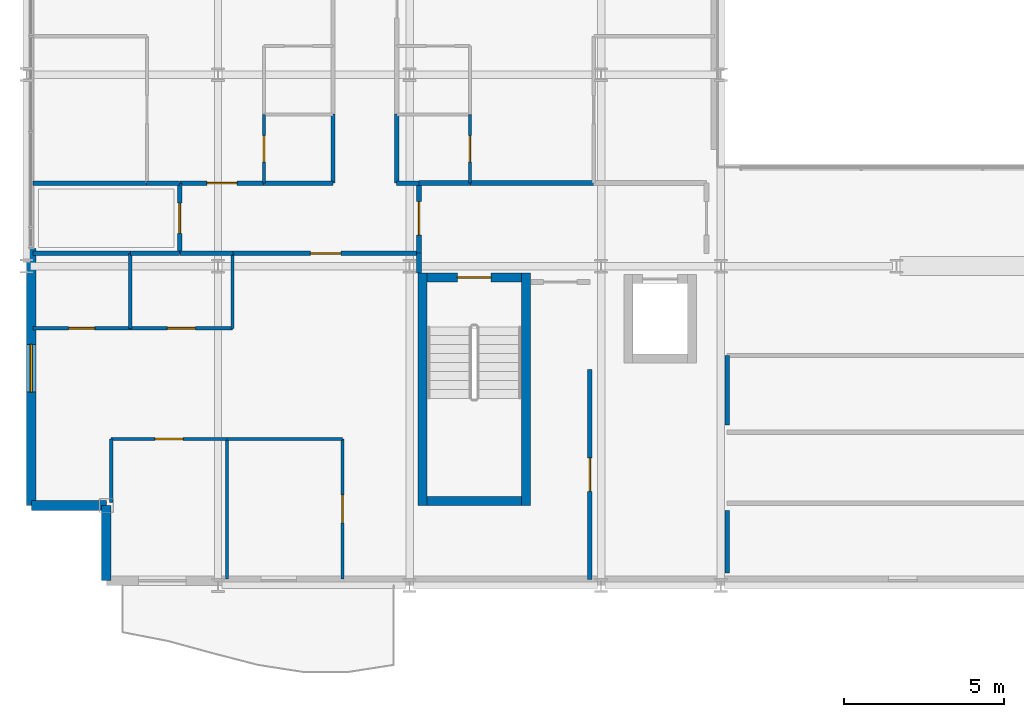
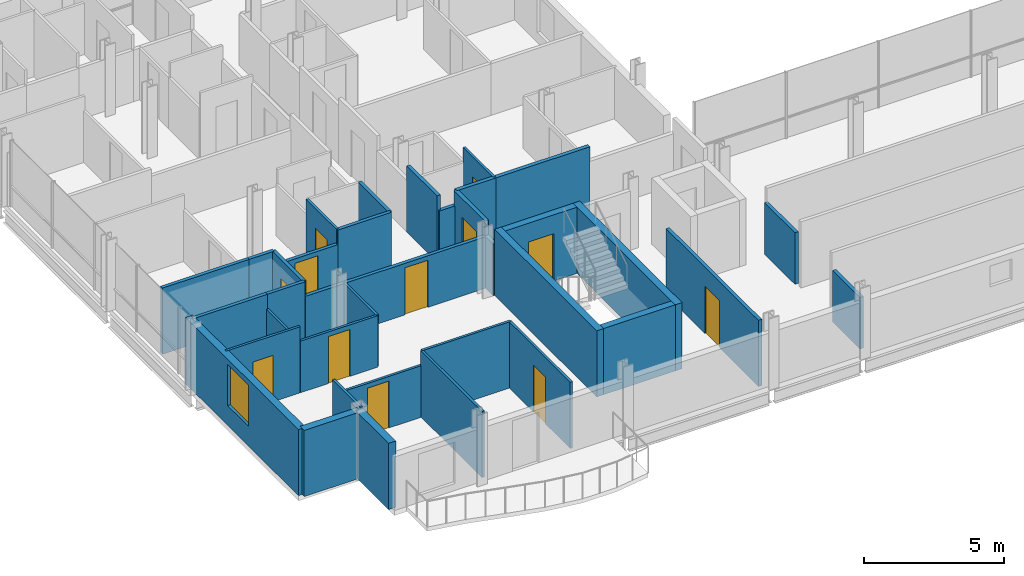
# One storey, part 31 of 41: 37 walls, 12 doors, 1 window, 13 openings.
"""IFC4 building model written with IfcOpenShell, lengths in metres."""

from ifc_helpers import new_model, si_unit, direction, frame, frame_2d, origin, place, context, subcontext, project, spatial, rectangle, extrude, material, layer, layer_set, type_object, element, fill, save


model = new_model("IFC4")

# Units and contexts
model_context = context("Model", 3, precision=1e-05, world=origin(), true_north=direction((0.0, 1.0)))
body_context = subcontext(model_context, "Body", "Model", "MODEL_VIEW")
ifc_project = project(units=[si_unit("LENGTHUNIT", "METRE"), si_unit("AREAUNIT", "SQUARE_METRE"), si_unit("VOLUMEUNIT", "CUBIC_METRE"), si_unit("PLANEANGLEUNIT", "RADIAN"), si_unit("MASSUNIT", "GRAM", prefix="KILO")], contexts=[model_context])

# Site, building, storey
site_placement = place(None, origin())
site = spatial("IfcSite", under=ifc_project, at=site_placement, CompositionType="ELEMENT")
building_placement = place(site_placement, origin())
building = spatial("IfcBuilding", under=site, at=building_placement, Name="Brevholm Reach", CompositionType="ELEMENT")
storey_placement = place(building_placement, frame((0.0, 0.0, 112.800048828125)))
storey = spatial("IfcBuildingStorey", under=building, at=storey_placement, Name="L33", CompositionType="ELEMENT", Elevation=112.800048828125)

# Walls
ifc_material_1 = material(Name="Concrete C50/60", Category="concrete")
ifc_layer_1 = layer(ifc_material_1, 0.280029296875)
ifc_layer_set_1 = layer_set([ifc_layer_1], Name="Concrete C50/60")
wall_type_1 = type_object("IfcWallType", Name="WAL-COR-280", PredefinedType="SHEAR", material=ifc_layer_set_1)
for number, where, z_axis, x_axis, name in (
    (1, (12.409912109375, 2.5, 0.0), (0.0, 0.0, 1.0), (0.0, 1.0, 0.0), "L33 Escape Stair ST-1 Core Wall W"),
    (2, (15.639892578125, 2.5, 0.0), (0.0, 0.0, 1.0), (0.0, 1.0, 0.0), "L33 Escape Stair ST-1 Core Wall E"),
):
    element("IfcWall", number, at=place(storey_placement, frame(where, z_axis=z_axis, x_axis=x_axis)), inside=storey, type_object=wall_type_1, Name=name, PredefinedType="SHEAR", context=body_context, shape_type="SweptSolid", body=[
        extrude(rectangle(XDim=7.280029296875, YDim=0.280029296875, at=frame_2d((3.64013671875, 0.0))), origin(), (0.0, 0.0, 1.0), 2.8798828125),
    ])
wall_1_placement = place(storey_placement, frame((12.550048828125, 2.639892578125, 0.0), z_axis=(0.0, 0.0, 1.0), x_axis=(1.0, 0.0, 0.0)))
element("IfcWall", 3, at=wall_1_placement, inside=storey, type_object=wall_type_1, Name="L33 Escape Stair ST-1 Core Wall S", PredefinedType="SHEAR", context=body_context, shape_type="SweptSolid", body=[
    extrude(rectangle(XDim=2.949951171875, YDim=0.280029296875, at=frame_2d((1.47509765625, 0.0))), origin(), (0.0, 0.0, 1.0), 2.8798828125),
])

# Wall, opening, door
wall_2_placement = place(storey_placement, frame((15.5, 9.639892578125, 0.0), z_axis=(0.0, 0.0, 1.0), x_axis=(-1.0, 0.0, 0.0)))
wall_2 = element("IfcWall", 4, at=wall_2_placement, inside=storey, type_object=wall_type_1, Name="L33 Escape Stair ST-1 Core Wall N", PredefinedType="SHEAR", context=body_context, shape_type="SweptSolid", body=[
    extrude(rectangle(XDim=2.949951171875, YDim=0.280029296875, at=frame_2d((1.47509765625, 0.0))), origin(), (0.0, 0.0, 1.0), 2.8798828125),
])
opening_1_placement = place(wall_2_placement, frame((0.949951171875, 0.0, 0.0)))
opening_1 = element("IfcOpeningElement", 5, at=opening_1_placement, cuts=wall_2, Name="Opening SD-ST-1", PredefinedType="OPENING", context=body_context, shape_type="SweptSolid", body=[
    extrude(rectangle(XDim=1.050048828125, YDim=2.06005859375, at=frame_2d((0.52490234375, 1.030029296875))), frame((0.0, 0.14990234375, 0.0), z_axis=(0.0, -1.0, 0.0), x_axis=(1.0, 0.0, 0.0)), (0.0, 0.0, 1.0), 0.300048828125),
])
ifc_material_2 = material(Name="Hardwood-Lipped Steel-Core Fire and Smoke Door", Category="steel")
door_type_1 = type_object("IfcDoorType", Name="DOR-INT-FD60S", OperationType="NOTDEFINED", PredefinedType="DOOR", material=ifc_material_2)
door_1_placement = place(opening_1_placement, origin())
door_1 = element("IfcDoor", 6, at=door_1_placement, inside=storey, type_object=door_type_1, Name="L33 Protected Stair ST-1 Lobby Door", OperationType="SINGLE_SWING_LEFT", OverallHeight=2.06005859375, OverallWidth=1.050048828125, PredefinedType="DOOR", context=body_context, shape_type="SweptSolid", body=[
    extrude(rectangle(XDim=1.050048828125, YDim=2.06005859375, at=frame_2d((0.52490234375, 1.030029296875))), frame((0.0, 0.02490234375, 0.0), z_axis=(0.0, -1.0, 0.0), x_axis=(1.0, 0.0, 0.0)), (0.0, 0.0, 1.0), 0.050048828125),
])
fill(opening_1, door_1)

# Walls
ifc_material_3 = material(Name="Concrete C40/50", Category="concrete")
ifc_layer_2 = layer(ifc_material_3, 0.300048828125)
ifc_layer_set_2 = layer_set([ifc_layer_2], Name="Concrete C40/50")
wall_type_2 = type_object("IfcWallType", Name="WAL-EXT-300", PredefinedType="STANDARD", material=ifc_layer_set_2)
for number, where, z_axis, x_axis, name in (
    (7, (2.5, 2.5, 0.0), (0.0, 0.0, 1.0), (0.0, -1.0, 0.0), "L33 Facade Wall WAL-L33-CSW1"),
    (8, (0.14990234375, 2.5, 0.0), (0.0, 0.0, 1.0), (1.0, 0.0, 0.0), "L33 Facade Wall WAL-L33-CSW2"),
):
    element("IfcWall", number, at=place(storey_placement, frame(where, z_axis=z_axis, x_axis=x_axis)), inside=storey, type_object=wall_type_2, Name=name, PredefinedType="STANDARD", context=body_context, shape_type="SweptSolid", body=[
        extrude(rectangle(XDim=2.35009765625, YDim=0.300048828125, at=frame_2d((1.175048828125, 0.0))), origin(), (0.0, 0.0, 1.0), 2.8798828125),
    ])

# Wall, opening, window
wall_3_placement = place(storey_placement, frame((0.14990234375, 10.550048828125, 0.0), z_axis=(0.0, 0.0, 1.0), x_axis=(0.0, -1.0, 0.0)))
wall_3 = element("IfcWall", 9, at=wall_3_placement, inside=storey, type_object=wall_type_2, Name="L33 Facade Wall WAL-L33-W-S", PredefinedType="STANDARD", context=body_context, shape_type="SweptSolid", body=[
    extrude(rectangle(XDim=8.050048828125, YDim=0.300048828125, at=frame_2d((4.02490234375, 0.0))), origin(), (0.0, 0.0, 1.0), 2.8798828125),
])
opening_2_placement = place(wall_3_placement, frame((3.0, 0.0, 0.860107421875)))
opening_2 = element("IfcOpeningElement", 10, at=opening_2_placement, cuts=wall_3, Name="Opening WN-05", PredefinedType="OPENING", context=body_context, shape_type="SweptSolid", body=[
    extrude(rectangle(XDim=1.5, YDim=1.800048828125, at=frame_2d((0.75, 0.89990234375))), frame((0.0, 0.159912109375, 0.0), z_axis=(0.0, -1.0, 0.0), x_axis=(1.0, 0.0, 0.0)), (0.0, 0.0, 1.0), 0.320068359375),
])
ifc_material_4 = material(Name="Dark Anodised Aluminium and Solar-Control IGU Glass", Category="aluminium")
window_type = type_object("IfcWindowType", Name="WIN-RES-1500", PartitioningType="SINGLE_PANEL", PredefinedType="WINDOW", material=ifc_material_4)
window_placement = place(opening_2_placement, origin())
window = element("IfcWindow", 11, at=window_placement, inside=storey, type_object=window_type, Name="L33 Window WIN-L33-WS-1", OverallHeight=1.800048828125, OverallWidth=1.5, PartitioningType="SINGLE_PANEL", PredefinedType="WINDOW", context=body_context, shape_type="SweptSolid", body=[
    extrude(rectangle(XDim=1.5, YDim=1.800048828125, at=frame_2d((0.75, 0.89990234375))), frame((0.0, 0.030029296875, 0.0), z_axis=(0.0, -1.0, 0.0), x_axis=(1.0, 0.0, 0.0)), (0.0, 0.0, 1.0), 0.06005859375),
])
fill(opening_2, window)

# Wall
ifc_material_5 = material(Name="Moisture-Resistant Acoustic Gypsum Stud Partition 100 mm", Category="gypsum")
ifc_layer_3 = layer(ifc_material_5, 0.10009765625)
ifc_layer_set_3 = layer_set([ifc_layer_3], Name="Moisture-Resistant Acoustic Gypsum Stud Partition 100 mm")
wall_type_3 = type_object("IfcWallType", Name="WAL-PRT-100", PredefinedType="PARTITIONING", material=ifc_layer_set_3)
wall_4_placement = place(storey_placement, frame((3.25, 8.053955078125, 0.0), z_axis=(0.0, 0.0, 1.0), x_axis=(0.0, 1.0, 0.0)))
element("IfcWall", 12, at=wall_4_placement, inside=storey, type_object=wall_type_3, Name="L33 Internal Partition 062", PredefinedType="PARTITIONING", context=body_context, shape_type="SweptSolid", body=[
    extrude(rectangle(XDim=2.345947265625, YDim=0.10009765625, at=frame_2d((1.1728515625, 0.0))), origin(), (0.0, 0.0, 1.0), 2.24267578125),
])

# Wall, opening, door
wall_5_placement = place(storey_placement, frame((0.199951171875, 8.053955078125, 0.0), z_axis=(0.0, 0.0, 1.0), x_axis=(1.0, 0.0, 0.0)))
wall_5 = element("IfcWall", 13, at=wall_5_placement, inside=storey, type_object=wall_type_3, Name="L33 Internal Partition 063", PredefinedType="PARTITIONING", context=body_context, shape_type="SweptSolid", body=[
    extrude(rectangle(XDim=3.050048828125, YDim=0.10009765625, at=frame_2d((1.52490234375, 0.0))), origin(), (0.0, 0.0, 1.0), 2.8798828125),
])
opening_3_placement = place(wall_5_placement, frame((1.114990234375, 0.0, 0.0)))
opening_3 = element("IfcOpeningElement", 14, at=opening_3_placement, cuts=wall_5, Name="Opening ID-03", PredefinedType="OPENING", context=body_context, shape_type="SweptSolid", body=[
    extrude(rectangle(XDim=0.820068359375, YDim=2.02001953125, at=frame_2d((0.41015625, 1.010009765625))), frame((0.0, 0.06005859375, 0.0), z_axis=(0.0, -1.0, 0.0), x_axis=(1.0, 0.0, 0.0)), (0.0, 0.0, 1.0), 0.1201171875),
])
ifc_material_6 = material(Name="Moisture-Resistant Painted Timber Internal Bathroom Door", Category="wood")
door_type_2 = type_object("IfcDoorType", Name="DOR-BATH-820", OperationType="NOTDEFINED", PredefinedType="DOOR", material=ifc_material_6)
door_2_placement = place(opening_3_placement, origin())
door_2 = element("IfcDoor", 15, at=door_2_placement, inside=storey, type_object=door_type_2, Name="L33 Internal Door 024", OperationType="SINGLE_SWING_RIGHT", OverallHeight=2.02001953125, OverallWidth=0.820068359375, PredefinedType="DOOR", context=body_context, shape_type="SweptSolid", body=[
    extrude(rectangle(XDim=0.820068359375, YDim=2.02001953125, at=frame_2d((0.41015625, 1.010009765625))), frame((0.0, 0.02490234375, 0.0), z_axis=(0.0, -1.0, 0.0), x_axis=(1.0, 0.0, 0.0)), (0.0, 0.0, 1.0), 0.050048828125),
])
fill(opening_3, door_2)

wall_6_placement = place(storey_placement, frame((3.25390625, 8.053955078125, 0.0), z_axis=(0.0, 0.0, 1.0), x_axis=(1.0, 0.0, 0.0)))
wall_6 = element("IfcWall", 16, at=wall_6_placement, inside=storey, type_object=wall_type_3, Name="L33 Internal Partition 065", PredefinedType="PARTITIONING", context=body_context, shape_type="SweptSolid", body=[
    extrude(rectangle(XDim=3.196044921875, YDim=0.10009765625, at=frame_2d((1.59814453125, 0.0))), origin(), (0.0, 0.0, 1.0), 2.24267578125),
])
opening_4_placement = place(wall_6_placement, frame((1.157958984375, 0.0, 0.0)))
opening_4 = element("IfcOpeningElement", 17, at=opening_4_placement, cuts=wall_6, Name="Opening ID-01", PredefinedType="OPENING", context=body_context, shape_type="SweptSolid", body=[
    extrude(rectangle(XDim=0.8798828125, YDim=2.0400390625, at=frame_2d((0.43994140625, 1.02001953125))), frame((0.0, 0.06005859375, 0.0), z_axis=(0.0, -1.0, 0.0), x_axis=(1.0, 0.0, 0.0)), (0.0, 0.0, 1.0), 0.1201171875),
])
ifc_material_7 = material(Name="Lacquered Ash Solid-Core Acoustic Internal Door", Category="timber")
door_type_3 = type_object("IfcDoorType", Name="DOR-INT-880", OperationType="NOTDEFINED", PredefinedType="DOOR", material=ifc_material_7)
door_3_placement = place(opening_4_placement, origin())
door_3 = element("IfcDoor", 18, at=door_3_placement, inside=storey, type_object=door_type_3, Name="L33 Internal Door 025", OperationType="SINGLE_SWING_LEFT", OverallHeight=2.0400390625, OverallWidth=0.8798828125, PredefinedType="DOOR", context=body_context, shape_type="SweptSolid", body=[
    extrude(rectangle(XDim=0.8798828125, YDim=2.0400390625, at=frame_2d((0.43994140625, 1.02001953125))), frame((0.0, 0.02490234375, 0.0), z_axis=(0.0, -1.0, 0.0), x_axis=(1.0, 0.0, 0.0)), (0.0, 0.0, 1.0), 0.050048828125),
])
fill(opening_4, door_3)

# Walls
wall_7_placement = place(storey_placement, frame((6.449951171875, 8.053955078125, 0.0), z_axis=(0.0, 0.0, 1.0), x_axis=(0.0, 1.0, 0.0)))
element("IfcWall", 19, at=wall_7_placement, inside=storey, type_object=wall_type_3, Name="L33 Internal Partition 066", PredefinedType="PARTITIONING", context=body_context, shape_type="SweptSolid", body=[
    extrude(rectangle(XDim=2.342041015625, YDim=0.10009765625, at=frame_2d((1.1708984375, 0.0))), origin(), (0.0, 0.0, 1.0), 2.24267578125),
])
wall_8_placement = place(storey_placement, frame((6.27490234375, 0.199951171875, 0.0), z_axis=(0.0, 0.0, 1.0), x_axis=(0.0, 1.0, 0.0)))
element("IfcWall", 20, at=wall_8_placement, inside=storey, type_object=wall_type_3, Name="L33 Internal Partition 068", PredefinedType="PARTITIONING", context=body_context, shape_type="SweptSolid", body=[
    extrude(rectangle(XDim=4.385986328125, YDim=0.10009765625, at=frame_2d((2.19287109375, 0.0))), origin(), (0.0, 0.0, 1.0), 2.8798828125),
])
wall_9_placement = place(storey_placement, frame((2.64990234375, 2.599365234375, 0.0), z_axis=(0.0, 0.0, 1.0), x_axis=(0.0, 1.0, 0.0)))
element("IfcWall", 21, at=wall_9_placement, inside=storey, type_object=wall_type_3, Name="L33 Internal Partition 069", PredefinedType="PARTITIONING", context=body_context, shape_type="SweptSolid", body=[
    extrude(rectangle(XDim=1.986572265625, YDim=0.10009765625, at=frame_2d((0.9931640625, 0.0))), origin(), (0.0, 0.0, 1.0), 2.8798828125),
])

# Wall, opening, door
wall_10_placement = place(storey_placement, frame((2.64990234375, 4.5859375, 0.0), z_axis=(0.0, 0.0, 1.0), x_axis=(1.0, 0.0, 0.0)))
wall_10 = element("IfcWall", 22, at=wall_10_placement, inside=storey, type_object=wall_type_3, Name="L33 Internal Partition 070", PredefinedType="PARTITIONING", context=body_context, shape_type="SweptSolid", body=[
    extrude(rectangle(XDim=3.625, YDim=0.10009765625, at=frame_2d((1.8125, 0.0))), origin(), (0.0, 0.0, 1.0), 2.24267578125),
])
opening_5_placement = place(wall_10_placement, frame((1.37255859375, 0.0, 0.0)))
opening_5 = element("IfcOpeningElement", 23, at=opening_5_placement, cuts=wall_10, Name="Opening ID-01", PredefinedType="OPENING", context=body_context, shape_type="SweptSolid", body=[
    extrude(rectangle(XDim=0.8798828125, YDim=2.0400390625, at=frame_2d((0.43994140625, 1.02001953125))), frame((0.0, 0.06005859375, 0.0), z_axis=(0.0, -1.0, 0.0), x_axis=(1.0, 0.0, 0.0)), (0.0, 0.0, 1.0), 0.1201171875),
])
door_4_placement = place(opening_5_placement, origin())
door_4 = element("IfcDoor", 24, at=door_4_placement, inside=storey, type_object=door_type_3, Name="L33 Internal Door 026", OperationType="SINGLE_SWING_RIGHT", OverallHeight=2.0400390625, OverallWidth=0.8798828125, PredefinedType="DOOR", context=body_context, shape_type="SweptSolid", body=[
    extrude(rectangle(XDim=0.8798828125, YDim=2.0400390625, at=frame_2d((0.43994140625, 1.02001953125))), frame((0.0, 0.02490234375, 0.0), z_axis=(0.0, -1.0, 0.0), x_axis=(1.0, 0.0, 0.0)), (0.0, 0.0, 1.0), 0.050048828125),
])
fill(opening_5, door_4)

wall_11_placement = place(storey_placement, frame((9.89990234375, 0.199951171875, 0.0), z_axis=(0.0, 0.0, 1.0), x_axis=(0.0, 1.0, 0.0)))
wall_11 = element("IfcWall", 25, at=wall_11_placement, inside=storey, type_object=wall_type_3, Name="L33 Internal Partition 071", PredefinedType="PARTITIONING", context=body_context, shape_type="SweptSolid", body=[
    extrude(rectangle(XDim=4.385986328125, YDim=0.10009765625, at=frame_2d((2.19287109375, 0.0))), origin(), (0.0, 0.0, 1.0), 2.8798828125),
])
opening_6_placement = place(wall_11_placement, frame((1.7529296875, 0.0, 0.0)))
opening_6 = element("IfcOpeningElement", 26, at=opening_6_placement, cuts=wall_11, Name="Opening ID-01", PredefinedType="OPENING", context=body_context, shape_type="SweptSolid", body=[
    extrude(rectangle(XDim=0.8798828125, YDim=2.0400390625, at=frame_2d((0.43994140625, 1.02001953125))), frame((0.0, 0.06005859375, 0.0), z_axis=(0.0, -1.0, 0.0), x_axis=(1.0, 0.0, 0.0)), (0.0, 0.0, 1.0), 0.1201171875),
])
door_5_placement = place(opening_6_placement, origin())
door_5 = element("IfcDoor", 27, at=door_5_placement, inside=storey, type_object=door_type_3, Name="L33 Internal Door 027", OperationType="SINGLE_SWING_LEFT", OverallHeight=2.0400390625, OverallWidth=0.8798828125, PredefinedType="DOOR", context=body_context, shape_type="SweptSolid", body=[
    extrude(rectangle(XDim=0.8798828125, YDim=2.0400390625, at=frame_2d((0.43994140625, 1.02001953125))), frame((0.0, 0.02490234375, 0.0), z_axis=(0.0, -1.0, 0.0), x_axis=(1.0, 0.0, 0.0)), (0.0, 0.0, 1.0), 0.050048828125),
])
fill(opening_6, door_5)

# Wall
wall_12_placement = place(storey_placement, frame((6.279052734375, 4.5859375, 0.0), z_axis=(0.0, 0.0, 1.0), x_axis=(1.0, 0.0, 0.0)))
element("IfcWall", 28, at=wall_12_placement, inside=storey, type_object=wall_type_3, Name="L33 Internal Partition 072", PredefinedType="PARTITIONING", context=body_context, shape_type="SweptSolid", body=[
    extrude(rectangle(XDim=3.620849609375, YDim=0.10009765625, at=frame_2d((1.810546875, 0.0))), origin(), (0.0, 0.0, 1.0), 2.8798828125),
])

# Wall, opening, door
wall_13_placement = place(storey_placement, frame((7.43798828125, 12.60400390625, 0.0), z_axis=(0.0, 0.0, 1.0), x_axis=(0.0, 1.0, 0.0)))
wall_13 = element("IfcWall", 29, at=wall_13_placement, inside=storey, type_object=wall_type_3, Name="L33 Internal Partition 088", PredefinedType="PARTITIONING", context=body_context, shape_type="SweptSolid", body=[
    extrude(rectangle(XDim=2.14599609375, YDim=0.10009765625, at=frame_2d((1.072998046875, 0.0))), origin(), (0.0, 0.0, 1.0), 2.8798828125),
])
opening_7_placement = place(wall_13_placement, frame((0.6630859375, 0.0, 0.0)))
opening_7 = element("IfcOpeningElement", 30, at=opening_7_placement, cuts=wall_13, Name="Opening ID-03", PredefinedType="OPENING", context=body_context, shape_type="SweptSolid", body=[
    extrude(rectangle(XDim=0.820068359375, YDim=2.02001953125, at=frame_2d((0.41015625, 1.010009765625))), frame((0.0, 0.06005859375, 0.0), z_axis=(0.0, -1.0, 0.0), x_axis=(1.0, 0.0, 0.0)), (0.0, 0.0, 1.0), 0.1201171875),
])
door_6_placement = place(opening_7_placement, origin())
door_6 = element("IfcDoor", 31, at=door_6_placement, inside=storey, type_object=door_type_2, Name="L33 Internal Door 032", OperationType="SINGLE_SWING_RIGHT", OverallHeight=2.02001953125, OverallWidth=0.820068359375, PredefinedType="DOOR", context=body_context, shape_type="SweptSolid", body=[
    extrude(rectangle(XDim=0.820068359375, YDim=2.02001953125, at=frame_2d((0.41015625, 1.010009765625))), frame((0.0, 0.02490234375, 0.0), z_axis=(0.0, -1.0, 0.0), x_axis=(1.0, 0.0, 0.0)), (0.0, 0.0, 1.0), 0.050048828125),
])
fill(opening_7, door_6)

wall_14_placement = place(storey_placement, frame((13.888916015625, 12.60400390625, 0.0), z_axis=(0.0, 0.0, 1.0), x_axis=(0.0, 1.0, 0.0)))
wall_14 = element("IfcWall", 32, at=wall_14_placement, inside=storey, type_object=wall_type_3, Name="L33 Internal Partition 107", PredefinedType="PARTITIONING", context=body_context, shape_type="SweptSolid", body=[
    extrude(rectangle(XDim=2.14599609375, YDim=0.10009765625, at=frame_2d((1.072998046875, 0.0))), origin(), (0.0, 0.0, 1.0), 2.8798828125),
])
opening_8_placement = place(wall_14_placement, frame((0.6630859375, 0.0, 0.0)))
opening_8 = element("IfcOpeningElement", 33, at=opening_8_placement, cuts=wall_14, Name="Opening ID-03", PredefinedType="OPENING", context=body_context, shape_type="SweptSolid", body=[
    extrude(rectangle(XDim=0.820068359375, YDim=2.02001953125, at=frame_2d((0.41015625, 1.010009765625))), frame((0.0, 0.06005859375, 0.0), z_axis=(0.0, -1.0, 0.0), x_axis=(1.0, 0.0, 0.0)), (0.0, 0.0, 1.0), 0.1201171875),
])
door_7_placement = place(opening_8_placement, origin())
door_7 = element("IfcDoor", 34, at=door_7_placement, inside=storey, type_object=door_type_2, Name="L33 Internal Door 038", OperationType="SINGLE_SWING_RIGHT", OverallHeight=2.02001953125, OverallWidth=0.820068359375, PredefinedType="DOOR", context=body_context, shape_type="SweptSolid", body=[
    extrude(rectangle(XDim=0.820068359375, YDim=2.02001953125, at=frame_2d((0.41015625, 1.010009765625))), frame((0.0, 0.02490234375, 0.0), z_axis=(0.0, -1.0, 0.0), x_axis=(1.0, 0.0, 0.0)), (0.0, 0.0, 1.0), 0.050048828125),
])
fill(opening_8, door_7)

ifc_material_8 = material(Name="Twin-Stud Acoustic Fire-Rated Gypsum Partition 140 mm", Category="gypsum")
ifc_layer_4 = layer(ifc_material_8, 0.139892578125)
ifc_layer_set_4 = layer_set([ifc_layer_4], Name="Twin-Stud Acoustic Fire-Rated Gypsum Partition 140 mm")
wall_type_4 = type_object("IfcWallType", Name="WAL-PRT-140", PredefinedType="PARTITIONING", material=ifc_layer_set_4)
wall_15_placement = place(storey_placement, frame((17.64990234375, 0.179931640625, 0.0), z_axis=(0.0, 0.0, 1.0), x_axis=(0.0, 1.0, 0.0)))
wall_15 = element("IfcWall", 35, at=wall_15_placement, inside=storey, type_object=wall_type_4, Name="L33 Internal Partition 006", PredefinedType="PARTITIONING", context=body_context, shape_type="SweptSolid", body=[
    extrude(rectangle(XDim=6.581298828125, YDim=0.139892578125, at=frame_2d((3.29052734375, 0.0))), origin(), (0.0, 0.0, 1.0), 2.8798828125),
])
opening_9_placement = place(wall_15_placement, frame((2.765625, 0.0, 0.0)))
opening_9 = element("IfcOpeningElement", 36, at=opening_9_placement, cuts=wall_15, Name="Opening FD-01", PredefinedType="OPENING", context=body_context, shape_type="SweptSolid", body=[
    extrude(rectangle(XDim=1.050048828125, YDim=2.06005859375, at=frame_2d((0.52490234375, 1.030029296875))), frame((0.0, 0.079833984375, 0.0), z_axis=(0.0, -1.0, 0.0), x_axis=(1.0, 0.0, 0.0)), (0.0, 0.0, 1.0), 0.159912109375),
])
door_8_placement = place(opening_9_placement, origin())
door_8 = element("IfcDoor", 37, at=door_8_placement, inside=storey, type_object=door_type_1, Name="L33 Internal Door 004", OperationType="SINGLE_SWING_RIGHT", OverallHeight=2.06005859375, OverallWidth=1.050048828125, PredefinedType="DOOR", context=body_context, shape_type="SweptSolid", body=[
    extrude(rectangle(XDim=1.050048828125, YDim=2.06005859375, at=frame_2d((0.52490234375, 1.030029296875))), frame((0.0, 0.02490234375, 0.0), z_axis=(0.0, -1.0, 0.0), x_axis=(1.0, 0.0, 0.0)), (0.0, 0.0, 1.0), 0.050048828125),
])
fill(opening_9, door_8)

# Wall
wall_16_placement = place(storey_placement, frame((4.800048828125, 10.39990234375, 0.0), z_axis=(0.0, 0.0, 1.0), x_axis=(1.0, 0.0, 0.0)))
element("IfcWall", 38, at=wall_16_placement, inside=storey, type_object=wall_type_4, Name="L33 Internal Partition 024", PredefinedType="PARTITIONING", context=body_context, shape_type="SweptSolid", body=[
    extrude(rectangle(XDim=1.6611328125, YDim=0.139892578125, at=frame_2d((0.83056640625, 0.0))), origin(), (0.0, 0.0, 1.0), 2.24267578125),
])

# Wall, opening, door
wall_17_placement = place(storey_placement, frame((6.442626953125, 10.39990234375, 0.0), z_axis=(0.0, 0.0, 1.0), x_axis=(1.0, 0.0, 0.0)))
wall_17 = element("IfcWall", 39, at=wall_17_placement, inside=storey, type_object=wall_type_4, Name="L33 Internal Partition 025", PredefinedType="PARTITIONING", context=body_context, shape_type="SweptSolid", body=[
    extrude(rectangle(XDim=5.853271484375, YDim=0.139892578125, at=frame_2d((2.9267578125, 0.0))), origin(), (0.0, 0.0, 1.0), 2.24267578125),
])
opening_10_placement = place(wall_17_placement, frame((2.45166015625, 0.0, 0.0)))
opening_10 = element("IfcOpeningElement", 40, at=opening_10_placement, cuts=wall_17, Name="Opening ID-30", PredefinedType="OPENING", context=body_context, shape_type="SweptSolid", body=[
    extrude(rectangle(XDim=0.949951171875, YDim=2.050048828125, at=frame_2d((0.47509765625, 1.02490234375))), frame((0.0, 0.079833984375, 0.0), z_axis=(0.0, -1.0, 0.0), x_axis=(1.0, 0.0, 0.0)), (0.0, 0.0, 1.0), 0.159912109375),
])
ifc_material_9 = material(Name="European Oak Veneered Solid-Core Fire Entrance Door", Category="timber")
door_type_4 = type_object("IfcDoorType", Name="DOR-FLT-FD30S", OperationType="NOTDEFINED", PredefinedType="DOOR", material=ifc_material_9)
door_9_placement = place(opening_10_placement, origin())
door_9 = element("IfcDoor", 41, at=door_9_placement, inside=storey, type_object=door_type_4, Name="L33 Internal Door 013", OperationType="SINGLE_SWING_LEFT", OverallHeight=2.050048828125, OverallWidth=0.949951171875, PredefinedType="DOOR", context=body_context, shape_type="SweptSolid", body=[
    extrude(rectangle(XDim=0.949951171875, YDim=2.050048828125, at=frame_2d((0.47509765625, 1.02490234375))), frame((0.0, 0.02490234375, 0.0), z_axis=(0.0, -1.0, 0.0), x_axis=(1.0, 0.0, 0.0)), (0.0, 0.0, 1.0), 0.050048828125),
])
fill(opening_10, door_9)

wall_18_placement = place(storey_placement, frame((4.800048828125, 10.39990234375, 0.0), z_axis=(0.0, 0.0, 1.0), x_axis=(0.0, 1.0, 0.0)))
wall_18 = element("IfcWall", 42, at=wall_18_placement, inside=storey, type_object=wall_type_4, Name="L33 Internal Partition 026", PredefinedType="PARTITIONING", context=body_context, shape_type="SweptSolid", body=[
    extrude(rectangle(XDim=2.2001953125, YDim=0.139892578125, at=frame_2d((1.10009765625, 0.0))), origin(), (0.0, 0.0, 1.0), 2.8798828125),
])
opening_11_placement = place(wall_18_placement, frame((0.625, 0.0, 0.0)))
opening_11 = element("IfcOpeningElement", 43, at=opening_11_placement, cuts=wall_18, Name="Opening ID-30", PredefinedType="OPENING", context=body_context, shape_type="SweptSolid", body=[
    extrude(rectangle(XDim=0.949951171875, YDim=2.050048828125, at=frame_2d((0.47509765625, 1.02490234375))), frame((0.0, 0.079833984375, 0.0), z_axis=(0.0, -1.0, 0.0), x_axis=(1.0, 0.0, 0.0)), (0.0, 0.0, 1.0), 0.159912109375),
])
door_10_placement = place(opening_11_placement, origin())
door_10 = element("IfcDoor", 44, at=door_10_placement, inside=storey, type_object=door_type_4, Name="L33 Internal Door 014", OperationType="SINGLE_SWING_RIGHT", OverallHeight=2.050048828125, OverallWidth=0.949951171875, PredefinedType="DOOR", context=body_context, shape_type="SweptSolid", body=[
    extrude(rectangle(XDim=0.949951171875, YDim=2.050048828125, at=frame_2d((0.47509765625, 1.02490234375))), frame((0.0, 0.02490234375, 0.0), z_axis=(0.0, -1.0, 0.0), x_axis=(1.0, 0.0, 0.0)), (0.0, 0.0, 1.0), 0.050048828125),
])
fill(opening_11, door_10)

# Wall
wall_19_placement = place(storey_placement, frame((7.4267578125, 12.60009765625, 0.0), z_axis=(0.0, 0.0, 1.0), x_axis=(1.0, 0.0, 0.0)))
element("IfcWall", 45, at=wall_19_placement, inside=storey, type_object=wall_type_4, Name="L33 Internal Partition 027", PredefinedType="PARTITIONING", context=body_context, shape_type="SweptSolid", body=[
    extrude(rectangle(XDim=2.1806640625, YDim=0.139892578125, at=frame_2d((1.09033203125, 0.0))), origin(), (0.0, 0.0, 1.0), 2.8798828125),
])

# Wall, opening, door
wall_20_placement = place(storey_placement, frame((4.800048828125, 12.60009765625, 0.0), z_axis=(0.0, 0.0, 1.0), x_axis=(1.0, 0.0, 0.0)))
wall_20 = element("IfcWall", 46, at=wall_20_placement, inside=storey, type_object=wall_type_4, Name="L33 Internal Partition 028", PredefinedType="PARTITIONING", context=body_context, shape_type="SweptSolid", body=[
    extrude(rectangle(XDim=2.645263671875, YDim=0.139892578125, at=frame_2d((1.32275390625, 0.0))), origin(), (0.0, 0.0, 1.0), 2.24267578125),
])
opening_12_placement = place(wall_20_placement, frame((0.84765625, 0.0, 0.0)))
opening_12 = element("IfcOpeningElement", 47, at=opening_12_placement, cuts=wall_20, Name="Opening ID-30", PredefinedType="OPENING", context=body_context, shape_type="SweptSolid", body=[
    extrude(rectangle(XDim=0.949951171875, YDim=2.050048828125, at=frame_2d((0.47509765625, 1.02490234375))), frame((0.0, 0.079833984375, 0.0), z_axis=(0.0, -1.0, 0.0), x_axis=(1.0, 0.0, 0.0)), (0.0, 0.0, 1.0), 0.159912109375),
])
door_11_placement = place(opening_12_placement, origin())
door_11 = element("IfcDoor", 48, at=door_11_placement, inside=storey, type_object=door_type_4, Name="L33 Internal Door 015", OperationType="SINGLE_SWING_LEFT", OverallHeight=2.050048828125, OverallWidth=0.949951171875, PredefinedType="DOOR", context=body_context, shape_type="SweptSolid", body=[
    extrude(rectangle(XDim=0.949951171875, YDim=2.050048828125, at=frame_2d((0.47509765625, 1.02490234375))), frame((0.0, 0.02490234375, 0.0), z_axis=(0.0, -1.0, 0.0), x_axis=(1.0, 0.0, 0.0)), (0.0, 0.0, 1.0), 0.050048828125),
])
fill(opening_12, door_11)

# Walls
wall_21_placement = place(storey_placement, frame((11.5927734375, 12.60009765625, 0.0), z_axis=(0.0, 0.0, 1.0), x_axis=(1.0, 0.0, 0.0)))
element("IfcWall", 49, at=wall_21_placement, inside=storey, type_object=wall_type_4, Name="L33 Internal Partition 029", PredefinedType="PARTITIONING", context=body_context, shape_type="SweptSolid", body=[
    extrude(rectangle(XDim=0.703125, YDim=0.139892578125, at=frame_2d((0.3515625, 0.0))), origin(), (0.0, 0.0, 1.0), 2.24267578125),
])
for number, where, z_axis, x_axis, name in (
    (50, (9.60009765625, 12.60400390625, 0.0), (0.0, 0.0, 1.0), (0.0, 1.0, 0.0), "L33 Internal Partition 033"),
    (51, (11.60009765625, 12.60400390625, 0.0), (0.0, 0.0, 1.0), (0.0, 1.0, 0.0), "L33 Internal Partition 039"),
):
    element("IfcWall", number, at=place(storey_placement, frame(where, z_axis=z_axis, x_axis=x_axis)), inside=storey, type_object=wall_type_4, Name=name, PredefinedType="PARTITIONING", context=body_context, shape_type="SweptSolid", body=[
        extrude(rectangle(XDim=2.1572265625, YDim=0.139892578125, at=frame_2d((1.07861328125, 0.0))), origin(), (0.0, 0.0, 1.0), 2.8798828125),
    ])
wall_22_placement = place(storey_placement, frame((0.199951171875, 10.39990234375, 0.0), z_axis=(0.0, 0.0, 1.0), x_axis=(1.0, 0.0, 0.0)))
element("IfcWall", 52, at=wall_22_placement, inside=storey, type_object=wall_type_4, Name="L33 Internal Partition 064", PredefinedType="PARTITIONING", context=body_context, shape_type="SweptSolid", body=[
    extrude(rectangle(XDim=3.050048828125, YDim=0.139892578125, at=frame_2d((1.52490234375, 0.0))), origin(), (0.0, 0.0, 1.0), 2.8798828125),
])
wall_23_placement = place(storey_placement, frame((3.25390625, 10.39990234375, 0.0), z_axis=(0.0, 0.0, 1.0), x_axis=(1.0, 0.0, 0.0)))
element("IfcWall", 53, at=wall_23_placement, inside=storey, type_object=wall_type_4, Name="L33 Internal Partition 067", PredefinedType="PARTITIONING", context=body_context, shape_type="SweptSolid", body=[
    extrude(rectangle(XDim=1.5419921875, YDim=0.139892578125, at=frame_2d((0.77099609375, 0.0))), origin(), (0.0, 0.0, 1.0), 2.8798828125),
])
wall_24_placement = place(storey_placement, frame((0.199951171875, 12.60009765625, 0.0), z_axis=(0.0, 0.0, 1.0), x_axis=(1.0, 0.0, 0.0)))
element("IfcWall", 54, at=wall_24_placement, inside=storey, type_object=wall_type_4, Name="L33 Internal Partition 073", PredefinedType="PARTITIONING", context=body_context, shape_type="SweptSolid", body=[
    extrude(rectangle(XDim=3.583251953125, YDim=0.139892578125, at=frame_2d((1.79150390625, 0.0))), origin(), (0.0, 0.0, 1.0), 2.8798828125),
])
wall_25_placement = place(storey_placement, frame((3.7646484375, 12.60009765625, 0.0), z_axis=(0.0, 0.0, 1.0), x_axis=(1.0, 0.0, 0.0)))
element("IfcWall", 55, at=wall_25_placement, inside=storey, type_object=wall_type_4, Name="L33 Internal Partition 074", PredefinedType="PARTITIONING", context=body_context, shape_type="SweptSolid", body=[
    extrude(rectangle(XDim=1.03125, YDim=0.139892578125, at=frame_2d((0.515625, 0.0))), origin(), (0.0, 0.0, 1.0), 2.8798828125),
])
wall_26_placement = place(storey_placement, frame((21.949951171875, 0.389892578125, 0.0), z_axis=(0.0, 0.0, 1.0), x_axis=(0.0, 1.0, 0.0)))
element("IfcWall", 56, at=wall_26_placement, inside=storey, type_object=wall_type_4, Name="L33 Internal Partition 163", PredefinedType="PARTITIONING", context=body_context, shape_type="SweptSolid", body=[
    extrude(rectangle(XDim=1.947021484375, YDim=0.139892578125, at=frame_2d((0.9736328125, 0.0))), origin(), (0.0, 0.0, 1.0), 2.24267578125),
])
wall_27_placement = place(storey_placement, frame((21.949951171875, 5.029052734375, 0.0), z_axis=(0.0, 0.0, 1.0), x_axis=(0.0, 1.0, 0.0)))
element("IfcWall", 57, at=wall_27_placement, inside=storey, type_object=wall_type_4, Name="L33 Internal Partition 165", PredefinedType="PARTITIONING", context=body_context, shape_type="SweptSolid", body=[
    extrude(rectangle(XDim=2.1708984375, YDim=0.139892578125, at=frame_2d((1.08544921875, 0.0))), origin(), (0.0, 0.0, 1.0), 2.24267578125),
])

# Wall, opening, door
ifc_material_10 = material(Name="Twin-Frame Fire-Rated Gypsum Board and Mineral Wool 160 mm", Category="gypsum")
ifc_layer_5 = layer(ifc_material_10, 0.159912109375)
ifc_layer_set_5 = layer_set([ifc_layer_5], Name="Twin-Frame Fire-Rated Gypsum Board and Mineral Wool 160 mm")
wall_type_5 = type_object("IfcWallType", Name="WAL-PRT-160", PredefinedType="PARTITIONING", material=ifc_layer_set_5)
wall_28_placement = place(storey_placement, frame((12.300048828125, 10.388671875, 0.0), z_axis=(0.0, 0.0, 1.0), x_axis=(0.0, 1.0, 0.0)))
wall_28 = element("IfcWall", 58, at=wall_28_placement, inside=storey, type_object=wall_type_5, Name="L33 Internal Partition 013", PredefinedType="PARTITIONING", context=body_context, shape_type="SweptSolid", body=[
    extrude(rectangle(XDim=2.21142578125, YDim=0.159912109375, at=frame_2d((1.105712890625, 0.0))), origin(), (0.0, 0.0, 1.0), 2.8798828125),
])
opening_13_placement = place(wall_28_placement, frame((0.58056640625, 0.0, 0.0)))
opening_13 = element("IfcOpeningElement", 59, at=opening_13_placement, cuts=wall_28, Name="Opening FD-01", PredefinedType="OPENING", context=body_context, shape_type="SweptSolid", body=[
    extrude(rectangle(XDim=1.050048828125, YDim=2.06005859375, at=frame_2d((0.52490234375, 1.030029296875))), frame((0.0, 0.08984375, 0.0), z_axis=(0.0, -1.0, 0.0), x_axis=(1.0, 0.0, 0.0)), (0.0, 0.0, 1.0), 0.179931640625),
])
door_12_placement = place(opening_13_placement, origin())
door_12 = element("IfcDoor", 60, at=door_12_placement, inside=storey, type_object=door_type_1, Name="L33 Internal Door 009", OperationType="SINGLE_SWING_LEFT", OverallHeight=2.06005859375, OverallWidth=1.050048828125, PredefinedType="DOOR", context=body_context, shape_type="SweptSolid", body=[
    extrude(rectangle(XDim=1.050048828125, YDim=2.06005859375, at=frame_2d((0.52490234375, 1.030029296875))), frame((0.0, 0.02490234375, 0.0), z_axis=(0.0, -1.0, 0.0), x_axis=(1.0, 0.0, 0.0)), (0.0, 0.0, 1.0), 0.050048828125),
])
fill(opening_13, door_12)

# Walls
wall_29_placement = place(storey_placement, frame((12.300048828125, 9.7900390625, 0.0), z_axis=(0.0, 0.0, 1.0), x_axis=(0.0, 1.0, 0.0)))
element("IfcWall", 61, at=wall_29_placement, inside=storey, type_object=wall_type_5, Name="L33 Internal Partition 015", PredefinedType="PARTITIONING", context=body_context, shape_type="SweptSolid", body=[
    extrude(rectangle(XDim=0.6171875, YDim=0.159912109375, at=frame_2d((0.30859375, 0.0))), origin(), (0.0, 0.0, 1.0), 2.24267578125),
])
wall_30_placement = place(storey_placement, frame((12.300048828125, 12.60009765625, 0.0), z_axis=(0.0, 0.0, 1.0), x_axis=(1.0, 0.0, 0.0)))
element("IfcWall", 62, at=wall_30_placement, inside=storey, type_object=wall_type_5, Name="L33 Internal Partition 016", PredefinedType="PARTITIONING", context=body_context, shape_type="SweptSolid", body=[
    extrude(rectangle(XDim=1.600341796875, YDim=0.159912109375, at=frame_2d((0.80029296875, 0.0))), origin(), (0.0, 0.0, 1.0), 2.8798828125),
])
wall_31_placement = place(storey_placement, frame((13.881591796875, 12.60009765625, 0.0), z_axis=(0.0, 0.0, 1.0), x_axis=(1.0, 0.0, 0.0)))
element("IfcWall", 63, at=wall_31_placement, inside=storey, type_object=wall_type_5, Name="L33 Internal Partition 018", PredefinedType="PARTITIONING", context=body_context, shape_type="SweptSolid", body=[
    extrude(rectangle(XDim=3.894775390625, YDim=0.159912109375, at=frame_2d((1.947265625, 0.0))), origin(), (0.0, 0.0, 1.0), 2.8798828125),
])

save(model, "model.ifc")
